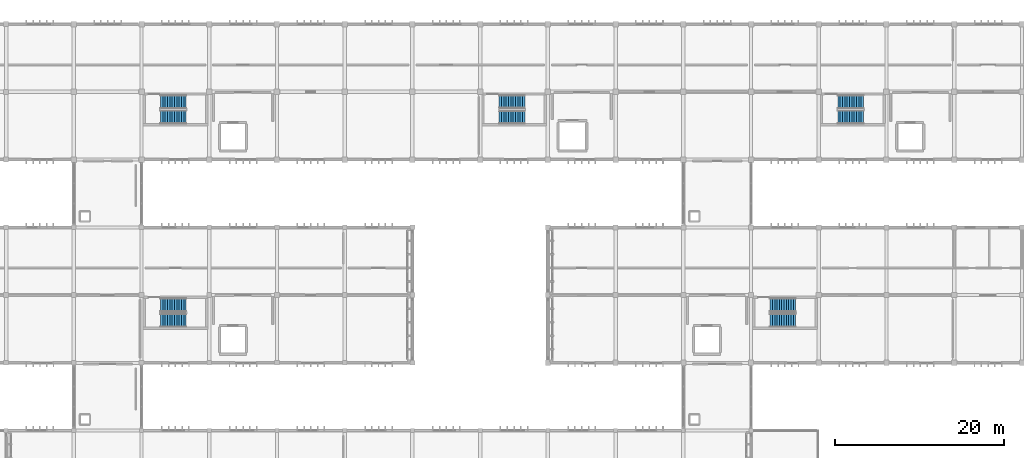
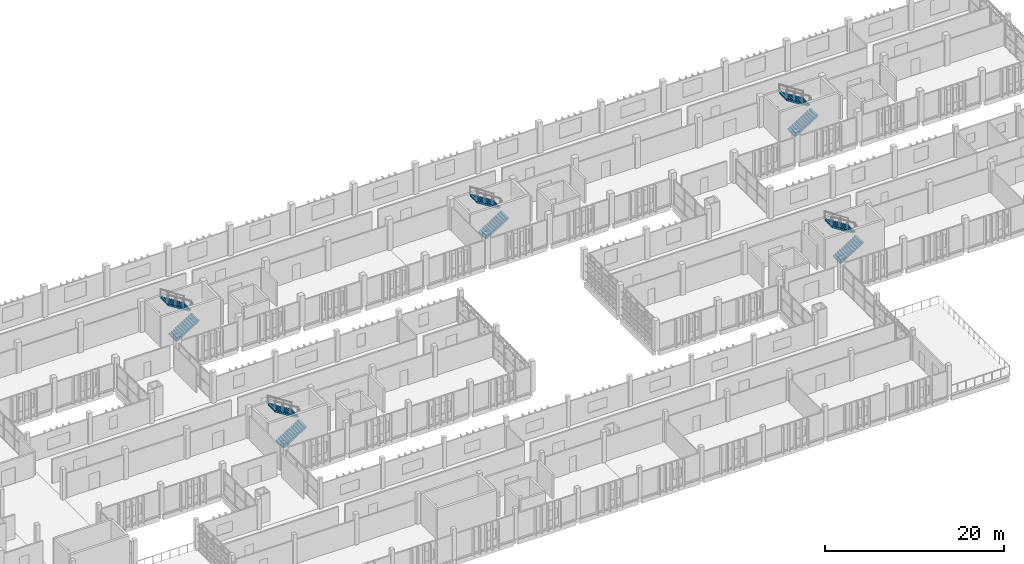
# One storey, part 55 of 63: 10 stair flights, 5 elements without a shape of their own.
"""IFC4 building model written with IfcOpenShell, lengths in metres."""

from ifc_helpers import new_model, si_unit, direction, frame, origin, place, context, subcontext, project, spatial, polyline, outline, extrude, material, type_object, element, aggregate, save


model = new_model("IFC4")

# Units and contexts
model_context = context("Model", 3, precision=1e-05, world=origin(), true_north=direction((0.0, 1.0)))
body_context = subcontext(model_context, "Body", "Model", "MODEL_VIEW")
ifc_project = project(units=[si_unit("LENGTHUNIT", "METRE"), si_unit("AREAUNIT", "SQUARE_METRE"), si_unit("VOLUMEUNIT", "CUBIC_METRE"), si_unit("PLANEANGLEUNIT", "RADIAN"), si_unit("MASSUNIT", "GRAM", prefix="KILO")], contexts=[model_context])

# Site, building, storey
site_placement = place(None, origin())
site = spatial("IfcSite", under=ifc_project, at=site_placement, CompositionType="ELEMENT")
building_placement = place(site_placement, origin())
building = spatial("IfcBuilding", under=site, at=building_placement, Name="Jelvoka-Kovrelna Polytechnic", CompositionType="ELEMENT")
storey_placement = place(building_placement, frame((0.0, 0.0, 18.0)))
storey = spatial("IfcBuildingStorey", under=building, at=storey_placement, Name="L05", CompositionType="ELEMENT", Elevation=18.0)

# Stair, stair flights
ifc_material_1 = material(Name="Concrete C35/45", Category="concrete")
stair_type_1 = type_object("IfcStairType", Name="Stair_Dogleg_1620", PredefinedType="TWO_STRAIGHT_RUN_STAIR", material=ifc_material_1)
stair_1_placement = place(storey_placement, origin())
stair_1 = element("IfcStair", 1, at=stair_1_placement, inside=storey, type_object=stair_type_1, Name="L05 ST07", PredefinedType="TWO_STRAIGHT_RUN_STAIR")
ifc_material_2 = material(Name="Concrete C35/45", Category="concrete")
stair_flight_type = type_object("IfcStairFlightType", Name="Flight_RC_175", PredefinedType="STRAIGHT", material=ifc_material_2)
stair_flight_1_placement = place(storey_placement, frame((82.25, 37.010009765625, 0.0), z_axis=(0.0, 0.0, 1.0), x_axis=(1.0, 0.0, 0.0)))
stair_flight_1 = element("IfcStairFlight", 2, at=stair_flight_1_placement, type_object=stair_flight_type, Name="ST07 flight 1", NumberOfRisers=12, NumberOfTreads=11, PredefinedType="STRAIGHT", RiserHeight=0.175, TreadLength=0.275, context=body_context, shape_type="SweptSolid", body=[
    extrude(outline(polyline([(0.0, 0.0), (0.0, 0.175048828125), (0.27490234375, 0.175048828125), (0.27490234375, 0.35009765625), (0.550048828125, 0.35009765625), (0.550048828125, 0.52490234375), (0.824951171875, 0.52490234375), (0.824951171875, 0.699951171875), (1.10009765625, 0.699951171875), (1.10009765625, 0.875), (1.375, 0.875), (1.375, 1.050048828125), (1.64990234375, 1.050048828125), (1.64990234375, 1.22509765625), (1.925048828125, 1.22509765625), (1.925048828125, 1.39990234375), (2.199951171875, 1.39990234375), (2.199951171875, 1.574951171875), (2.47509765625, 1.574951171875), (2.47509765625, 1.75), (2.75, 1.75), (2.75, 1.925048828125), (3.02490234375, 1.925048828125), (3.02490234375, 2.10009765625), (3.02490234375, 1.711669921875), (0.335205078125, 0.0), (0.0, 0.0)])), frame((0.0, 0.81005859375, 0.0), z_axis=(0.0, -1.0, 0.0), x_axis=(1.0, 0.0, 0.0)), (0.0, 0.0, 1.0), 1.6201171875),
])
stair_flight_2_placement = place(storey_placement, frame((85.27490234375, 38.830078125, 2.10009765625), z_axis=(0.0, 0.0, 1.0), x_axis=(-1.0, 0.0, 0.0)))
stair_flight_2 = element("IfcStairFlight", 3, at=stair_flight_2_placement, type_object=stair_flight_type, Name="ST07 flight 2", NumberOfRisers=12, NumberOfTreads=11, PredefinedType="STRAIGHT", RiserHeight=0.175, TreadLength=0.275, context=body_context, shape_type="SweptSolid", body=[
    extrude(outline(polyline([(0.0, 0.0), (0.0, 0.175048828125), (0.27490234375, 0.175048828125), (0.27490234375, 0.35009765625), (0.550048828125, 0.35009765625), (0.550048828125, 0.52490234375), (0.824951171875, 0.52490234375), (0.824951171875, 0.699951171875), (1.10009765625, 0.699951171875), (1.10009765625, 0.875), (1.375, 0.875), (1.375, 1.050048828125), (1.64990234375, 1.050048828125), (1.64990234375, 1.22509765625), (1.925048828125, 1.22509765625), (1.925048828125, 1.39990234375), (2.199951171875, 1.39990234375), (2.199951171875, 1.574951171875), (2.47509765625, 1.574951171875), (2.47509765625, 1.75), (2.75, 1.75), (2.75, 1.925048828125), (3.02490234375, 1.925048828125), (3.02490234375, 2.10009765625), (3.02490234375, 1.711669921875), (0.335205078125, 0.0), (0.0, 0.0)])), frame((0.0, 0.81005859375, 0.0), z_axis=(0.0, -1.0, 0.0), x_axis=(1.0, 0.0, 0.0)), (0.0, 0.0, 1.0), 1.6201171875),
])
aggregate(stair_1, [stair_flight_1, stair_flight_2])

stair_2_placement = place(storey_placement, origin())
stair_2 = element("IfcStair", 4, at=stair_2_placement, inside=storey, type_object=stair_type_1, Name="L05 ST08", PredefinedType="TWO_STRAIGHT_RUN_STAIR")
stair_flight_3_placement = place(storey_placement, frame((154.25, 37.010009765625, 0.0), z_axis=(0.0, 0.0, 1.0), x_axis=(1.0, 0.0, 0.0)))
stair_flight_3 = element("IfcStairFlight", 5, at=stair_flight_3_placement, type_object=stair_flight_type, Name="ST08 flight 1", NumberOfRisers=12, NumberOfTreads=11, PredefinedType="STRAIGHT", RiserHeight=0.175, TreadLength=0.275, context=body_context, shape_type="SweptSolid", body=[
    extrude(outline(polyline([(0.0, 0.0), (0.0, 0.175048828125), (0.27490234375, 0.175048828125), (0.27490234375, 0.35009765625), (0.550048828125, 0.35009765625), (0.550048828125, 0.52490234375), (0.824951171875, 0.52490234375), (0.824951171875, 0.699951171875), (1.10009765625, 0.699951171875), (1.10009765625, 0.875), (1.375, 0.875), (1.375, 1.050048828125), (1.64990234375, 1.050048828125), (1.64990234375, 1.22509765625), (1.925048828125, 1.22509765625), (1.925048828125, 1.39990234375), (2.199951171875, 1.39990234375), (2.199951171875, 1.574951171875), (2.47509765625, 1.574951171875), (2.47509765625, 1.75), (2.75, 1.75), (2.75, 1.925048828125), (3.02490234375, 1.925048828125), (3.02490234375, 2.10009765625), (3.02490234375, 1.711669921875), (0.335205078125, 0.0), (0.0, 0.0)])), frame((0.0, 0.81005859375, 0.0), z_axis=(0.0, -1.0, 0.0), x_axis=(1.0, 0.0, 0.0)), (0.0, 0.0, 1.0), 1.6201171875),
])
stair_flight_4_placement = place(storey_placement, frame((157.27490234375, 38.830078125, 2.10009765625), z_axis=(0.0, 0.0, 1.0), x_axis=(-1.0, 0.0, 0.0)))
stair_flight_4 = element("IfcStairFlight", 6, at=stair_flight_4_placement, type_object=stair_flight_type, Name="ST08 flight 2", NumberOfRisers=12, NumberOfTreads=11, PredefinedType="STRAIGHT", RiserHeight=0.175, TreadLength=0.275, context=body_context, shape_type="SweptSolid", body=[
    extrude(outline(polyline([(0.0, 0.0), (0.0, 0.175048828125), (0.27490234375, 0.175048828125), (0.27490234375, 0.35009765625), (0.550048828125, 0.35009765625), (0.550048828125, 0.52490234375), (0.824951171875, 0.52490234375), (0.824951171875, 0.699951171875), (1.10009765625, 0.699951171875), (1.10009765625, 0.875), (1.375, 0.875), (1.375, 1.050048828125), (1.64990234375, 1.050048828125), (1.64990234375, 1.22509765625), (1.925048828125, 1.22509765625), (1.925048828125, 1.39990234375), (2.199951171875, 1.39990234375), (2.199951171875, 1.574951171875), (2.47509765625, 1.574951171875), (2.47509765625, 1.75), (2.75, 1.75), (2.75, 1.925048828125), (3.02490234375, 1.925048828125), (3.02490234375, 2.10009765625), (3.02490234375, 1.711669921875), (0.335205078125, 0.0), (0.0, 0.0)])), frame((0.0, 0.81005859375, 0.0), z_axis=(0.0, -1.0, 0.0), x_axis=(1.0, 0.0, 0.0)), (0.0, 0.0, 1.0), 1.6201171875),
])
aggregate(stair_2, [stair_flight_3, stair_flight_4])

stair_3_placement = place(storey_placement, origin())
stair_3 = element("IfcStair", 7, at=stair_3_placement, inside=storey, type_object=stair_type_1, Name="L05 ST09", PredefinedType="TWO_STRAIGHT_RUN_STAIR")
stair_flight_5_placement = place(storey_placement, frame((82.25, 61.010009765625, 0.0), z_axis=(0.0, 0.0, 1.0), x_axis=(1.0, 0.0, 0.0)))
stair_flight_5 = element("IfcStairFlight", 8, at=stair_flight_5_placement, type_object=stair_flight_type, Name="ST09 flight 1", NumberOfRisers=12, NumberOfTreads=11, PredefinedType="STRAIGHT", RiserHeight=0.175, TreadLength=0.275, context=body_context, shape_type="SweptSolid", body=[
    extrude(outline(polyline([(0.0, 0.0), (0.0, 0.175048828125), (0.27490234375, 0.175048828125), (0.27490234375, 0.35009765625), (0.550048828125, 0.35009765625), (0.550048828125, 0.52490234375), (0.824951171875, 0.52490234375), (0.824951171875, 0.699951171875), (1.10009765625, 0.699951171875), (1.10009765625, 0.875), (1.375, 0.875), (1.375, 1.050048828125), (1.64990234375, 1.050048828125), (1.64990234375, 1.22509765625), (1.925048828125, 1.22509765625), (1.925048828125, 1.39990234375), (2.199951171875, 1.39990234375), (2.199951171875, 1.574951171875), (2.47509765625, 1.574951171875), (2.47509765625, 1.75), (2.75, 1.75), (2.75, 1.925048828125), (3.02490234375, 1.925048828125), (3.02490234375, 2.10009765625), (3.02490234375, 1.711669921875), (0.335205078125, 0.0), (0.0, 0.0)])), frame((0.0, 0.81005859375, 0.0), z_axis=(0.0, -1.0, 0.0), x_axis=(1.0, 0.0, 0.0)), (0.0, 0.0, 1.0), 1.6201171875),
])
stair_flight_6_placement = place(storey_placement, frame((85.27490234375, 62.830078125, 2.10009765625), z_axis=(0.0, 0.0, 1.0), x_axis=(-1.0, 0.0, 0.0)))
stair_flight_6 = element("IfcStairFlight", 9, at=stair_flight_6_placement, type_object=stair_flight_type, Name="ST09 flight 2", NumberOfRisers=12, NumberOfTreads=11, PredefinedType="STRAIGHT", RiserHeight=0.175, TreadLength=0.275, context=body_context, shape_type="SweptSolid", body=[
    extrude(outline(polyline([(0.0, 0.0), (0.0, 0.175048828125), (0.27490234375, 0.175048828125), (0.27490234375, 0.35009765625), (0.550048828125, 0.35009765625), (0.550048828125, 0.52490234375), (0.824951171875, 0.52490234375), (0.824951171875, 0.699951171875), (1.10009765625, 0.699951171875), (1.10009765625, 0.875), (1.375, 0.875), (1.375, 1.050048828125), (1.64990234375, 1.050048828125), (1.64990234375, 1.22509765625), (1.925048828125, 1.22509765625), (1.925048828125, 1.39990234375), (2.199951171875, 1.39990234375), (2.199951171875, 1.574951171875), (2.47509765625, 1.574951171875), (2.47509765625, 1.75), (2.75, 1.75), (2.75, 1.925048828125), (3.02490234375, 1.925048828125), (3.02490234375, 2.10009765625), (3.02490234375, 1.711669921875), (0.335205078125, 0.0), (0.0, 0.0)])), frame((0.0, 0.81005859375, 0.0), z_axis=(0.0, -1.0, 0.0), x_axis=(1.0, 0.0, 0.0)), (0.0, 0.0, 1.0), 1.6201171875),
])
aggregate(stair_3, [stair_flight_5, stair_flight_6])

stair_4_placement = place(storey_placement, origin())
stair_4 = element("IfcStair", 10, at=stair_4_placement, inside=storey, type_object=stair_type_1, Name="L05 ST10", PredefinedType="TWO_STRAIGHT_RUN_STAIR")
stair_flight_7_placement = place(storey_placement, frame((162.25, 61.010009765625, 0.0), z_axis=(0.0, 0.0, 1.0), x_axis=(1.0, 0.0, 0.0)))
stair_flight_7 = element("IfcStairFlight", 11, at=stair_flight_7_placement, type_object=stair_flight_type, Name="ST10 flight 1", NumberOfRisers=12, NumberOfTreads=11, PredefinedType="STRAIGHT", RiserHeight=0.175, TreadLength=0.275, context=body_context, shape_type="SweptSolid", body=[
    extrude(outline(polyline([(0.0, 0.0), (0.0, 0.175048828125), (0.27490234375, 0.175048828125), (0.27490234375, 0.35009765625), (0.550048828125, 0.35009765625), (0.550048828125, 0.52490234375), (0.824951171875, 0.52490234375), (0.824951171875, 0.699951171875), (1.10009765625, 0.699951171875), (1.10009765625, 0.875), (1.375, 0.875), (1.375, 1.050048828125), (1.64990234375, 1.050048828125), (1.64990234375, 1.22509765625), (1.925048828125, 1.22509765625), (1.925048828125, 1.39990234375), (2.199951171875, 1.39990234375), (2.199951171875, 1.574951171875), (2.47509765625, 1.574951171875), (2.47509765625, 1.75), (2.75, 1.75), (2.75, 1.925048828125), (3.02490234375, 1.925048828125), (3.02490234375, 2.10009765625), (3.02490234375, 1.711669921875), (0.335205078125, 0.0), (0.0, 0.0)])), frame((0.0, 0.81005859375, 0.0), z_axis=(0.0, -1.0, 0.0), x_axis=(1.0, 0.0, 0.0)), (0.0, 0.0, 1.0), 1.6201171875),
])
stair_flight_8_placement = place(storey_placement, frame((165.27490234375, 62.830078125, 2.10009765625), z_axis=(0.0, 0.0, 1.0), x_axis=(-1.0, 0.0, 0.0)))
stair_flight_8 = element("IfcStairFlight", 12, at=stair_flight_8_placement, type_object=stair_flight_type, Name="ST10 flight 2", NumberOfRisers=12, NumberOfTreads=11, PredefinedType="STRAIGHT", RiserHeight=0.175, TreadLength=0.275, context=body_context, shape_type="SweptSolid", body=[
    extrude(outline(polyline([(0.0, 0.0), (0.0, 0.175048828125), (0.27490234375, 0.175048828125), (0.27490234375, 0.35009765625), (0.550048828125, 0.35009765625), (0.550048828125, 0.52490234375), (0.824951171875, 0.52490234375), (0.824951171875, 0.699951171875), (1.10009765625, 0.699951171875), (1.10009765625, 0.875), (1.375, 0.875), (1.375, 1.050048828125), (1.64990234375, 1.050048828125), (1.64990234375, 1.22509765625), (1.925048828125, 1.22509765625), (1.925048828125, 1.39990234375), (2.199951171875, 1.39990234375), (2.199951171875, 1.574951171875), (2.47509765625, 1.574951171875), (2.47509765625, 1.75), (2.75, 1.75), (2.75, 1.925048828125), (3.02490234375, 1.925048828125), (3.02490234375, 2.10009765625), (3.02490234375, 1.711669921875), (0.335205078125, 0.0), (0.0, 0.0)])), frame((0.0, 0.81005859375, 0.0), z_axis=(0.0, -1.0, 0.0), x_axis=(1.0, 0.0, 0.0)), (0.0, 0.0, 1.0), 1.6201171875),
])
aggregate(stair_4, [stair_flight_7, stair_flight_8])

ifc_material_3 = material(Name="Concrete C35/45", Category="concrete")
stair_type_2 = type_object("IfcStairType", Name="Stair_Dogleg_1580", PredefinedType="TWO_STRAIGHT_RUN_STAIR", material=ifc_material_3)
stair_5_placement = place(storey_placement, origin())
stair_5 = element("IfcStair", 13, at=stair_5_placement, inside=storey, type_object=stair_type_2, Name="L05 ST11", PredefinedType="TWO_STRAIGHT_RUN_STAIR")
stair_flight_9_placement = place(storey_placement, frame((122.25, 60.989990234375, 0.0), z_axis=(0.0, 0.0, 1.0), x_axis=(1.0, 0.0, 0.0)))
stair_flight_9 = element("IfcStairFlight", 14, at=stair_flight_9_placement, type_object=stair_flight_type, Name="ST11 flight 1", NumberOfRisers=12, NumberOfTreads=11, PredefinedType="STRAIGHT", RiserHeight=0.175, TreadLength=0.275, context=body_context, shape_type="SweptSolid", body=[
    extrude(outline(polyline([(0.0, 0.0), (0.0, 0.175048828125), (0.27490234375, 0.175048828125), (0.27490234375, 0.35009765625), (0.550048828125, 0.35009765625), (0.550048828125, 0.52490234375), (0.824951171875, 0.52490234375), (0.824951171875, 0.699951171875), (1.10009765625, 0.699951171875), (1.10009765625, 0.875), (1.375, 0.875), (1.375, 1.050048828125), (1.64990234375, 1.050048828125), (1.64990234375, 1.22509765625), (1.925048828125, 1.22509765625), (1.925048828125, 1.39990234375), (2.199951171875, 1.39990234375), (2.199951171875, 1.574951171875), (2.47509765625, 1.574951171875), (2.47509765625, 1.75), (2.75, 1.75), (2.75, 1.925048828125), (3.02490234375, 1.925048828125), (3.02490234375, 2.10009765625), (3.02490234375, 1.711669921875), (0.335205078125, 0.0), (0.0, 0.0)])), frame((0.0, 0.7900390625, 0.0), z_axis=(0.0, -1.0, 0.0), x_axis=(1.0, 0.0, 0.0)), (0.0, 0.0, 1.0), 1.580078125),
])
stair_flight_10_placement = place(storey_placement, frame((125.27490234375, 62.85009765625, 2.10009765625), z_axis=(0.0, 0.0, 1.0), x_axis=(-1.0, 0.0, 0.0)))
stair_flight_10 = element("IfcStairFlight", 15, at=stair_flight_10_placement, type_object=stair_flight_type, Name="ST11 flight 2", NumberOfRisers=12, NumberOfTreads=11, PredefinedType="STRAIGHT", RiserHeight=0.175, TreadLength=0.275, context=body_context, shape_type="SweptSolid", body=[
    extrude(outline(polyline([(0.0, 0.0), (0.0, 0.175048828125), (0.27490234375, 0.175048828125), (0.27490234375, 0.35009765625), (0.550048828125, 0.35009765625), (0.550048828125, 0.52490234375), (0.824951171875, 0.52490234375), (0.824951171875, 0.699951171875), (1.10009765625, 0.699951171875), (1.10009765625, 0.875), (1.375, 0.875), (1.375, 1.050048828125), (1.64990234375, 1.050048828125), (1.64990234375, 1.22509765625), (1.925048828125, 1.22509765625), (1.925048828125, 1.39990234375), (2.199951171875, 1.39990234375), (2.199951171875, 1.574951171875), (2.47509765625, 1.574951171875), (2.47509765625, 1.75), (2.75, 1.75), (2.75, 1.925048828125), (3.02490234375, 1.925048828125), (3.02490234375, 2.10009765625), (3.02490234375, 1.711669921875), (0.335205078125, 0.0), (0.0, 0.0)])), frame((0.0, 0.7900390625, 0.0), z_axis=(0.0, -1.0, 0.0), x_axis=(1.0, 0.0, 0.0)), (0.0, 0.0, 1.0), 1.580078125),
])
aggregate(stair_5, [stair_flight_9, stair_flight_10])

save(model, "model.ifc")
